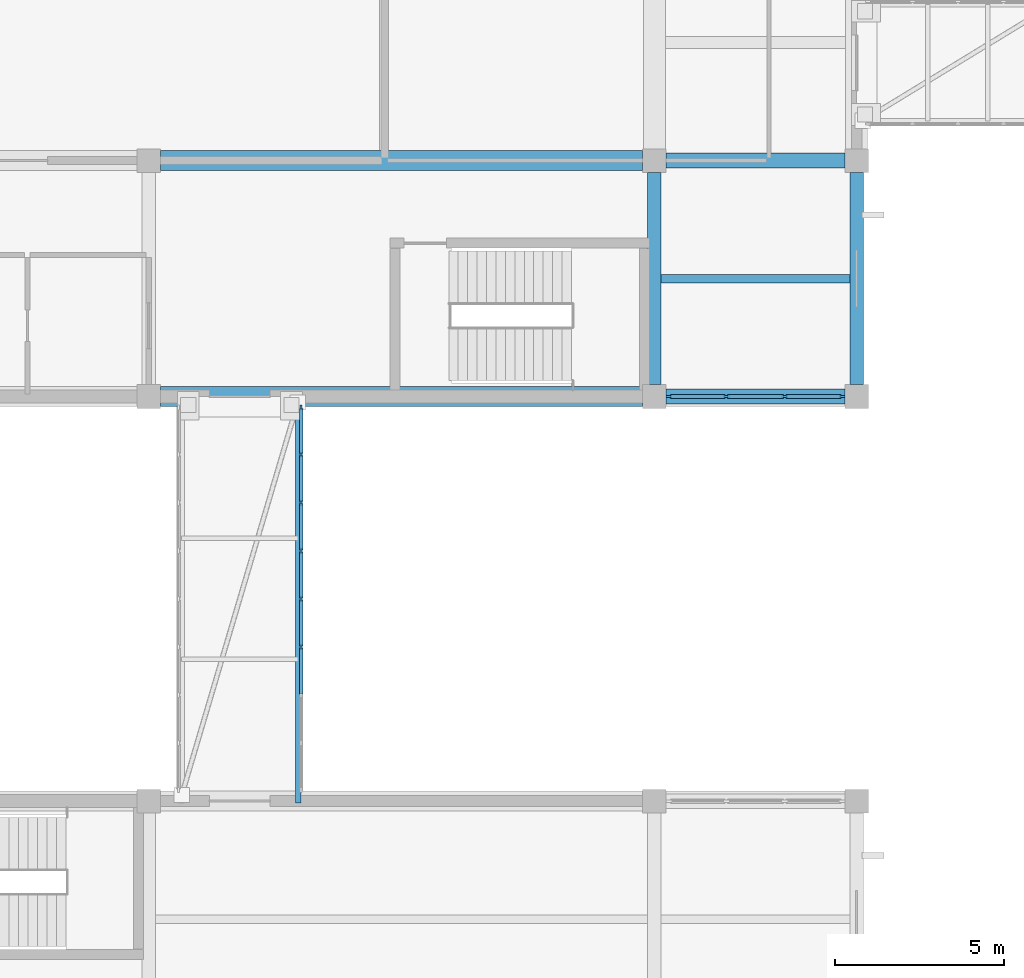
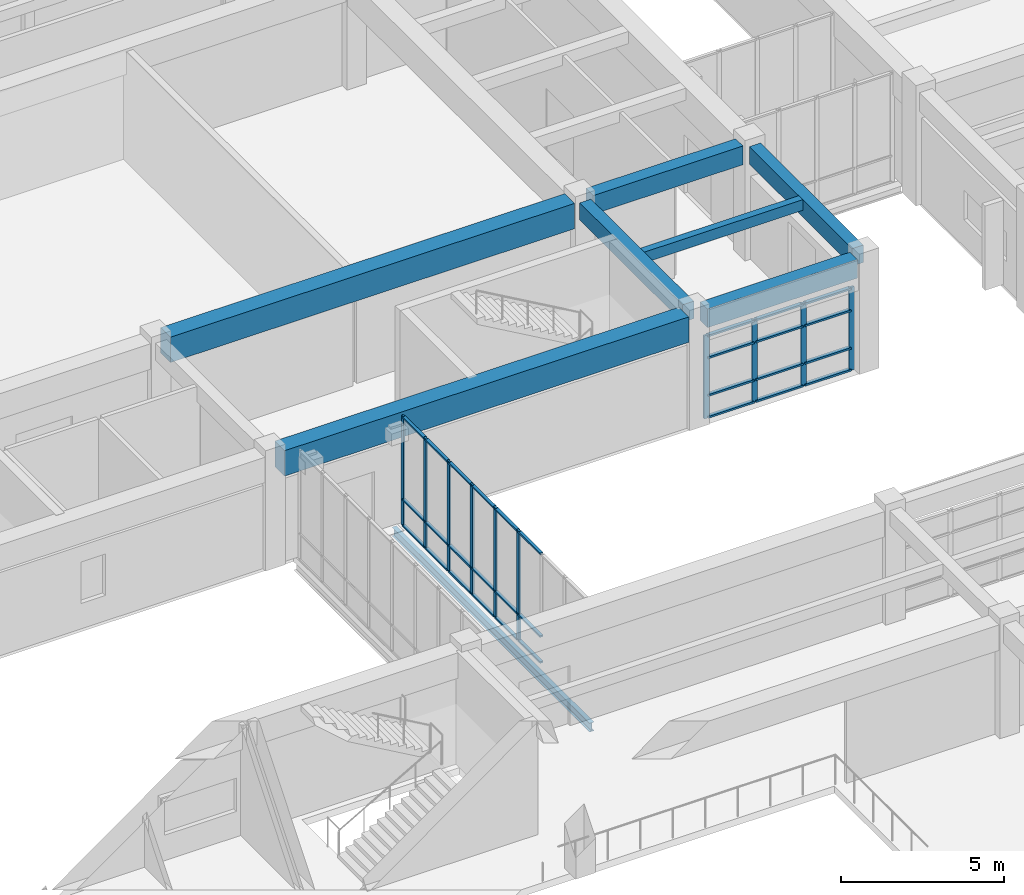
# One storey, part 13 of 70: 40 members, 8 beams, 2 elements without a shape of their own.
"""IFC4 building model written with IfcOpenShell, lengths in metres."""

from ifc_helpers import new_model, si_unit, direction, frame, origin, origin_2d, place, context, subcontext, project, spatial, rectangle, i_section, extrude, material, layer, layer_set, material_profile, profile_set, type_object, element, aggregate, save


model = new_model("IFC4")

# Units and contexts
model_context = context("Model", 3, precision=1e-05, world=origin(), true_north=direction((0.0, 1.0)))
body_context = subcontext(model_context, "Body", "Model", "MODEL_VIEW")
ifc_project = project(units=[si_unit("LENGTHUNIT", "METRE"), si_unit("AREAUNIT", "SQUARE_METRE"), si_unit("VOLUMEUNIT", "CUBIC_METRE"), si_unit("PLANEANGLEUNIT", "RADIAN"), si_unit("MASSUNIT", "GRAM", prefix="KILO")], contexts=[model_context])

# Site, building, storey
site_placement = place(None, origin())
site = spatial("IfcSite", under=ifc_project, at=site_placement, CompositionType="ELEMENT")
building_placement = place(site_placement, origin())
building = spatial("IfcBuilding", under=site, at=building_placement, Name="Naurynzar Civic Courthouse", CompositionType="ELEMENT")
storey_placement = place(building_placement, frame((0.0, 0.0, 5.39990234375)))
storey = spatial("IfcBuildingStorey", under=building, at=storey_placement, Name="L02", CompositionType="ELEMENT", Elevation=5.39990234375)

# Beams
ifc_material_1 = material(Name="Concrete C40/50", Category="concrete")
ifc_material_profile_1 = material_profile(ifc_material_1, rectangle(XDim=0.25, YDim=0.39990234375, at=origin_2d()), Name="RCB 250x400")
ifc_profile_set_1 = profile_set([ifc_material_profile_1], Name="Concrete C40/50")
beam_type_1 = type_object("IfcBeamType", Name="BM-JST-250x400", PredefinedType="JOIST", material=ifc_profile_set_1)
beam_1_placement = place(storey_placement, frame((50.199951171875, 47.5, 4.030029296875), z_axis=(1.0, 0.0, 0.0), x_axis=(0.0, 1.0, 0.0)))
element("IfcBeam", 1, at=beam_1_placement, inside=storey, type_object=beam_type_1, Name="V1 secondary rib 152 L02", PredefinedType="JOIST", context=body_context, shape_type="SweptSolid", body=[
    extrude(rectangle(XDim=0.25, YDim=0.39990234375, at=origin_2d()), origin(), (0.0, 0.0, 1.0), 5.60009765625),
])
ifc_material_2 = material(Name="Concrete C40/50", Category="concrete")
ifc_material_profile_2 = material_profile(ifc_material_2, rectangle(XDim=0.60009765625, YDim=0.949951171875, at=origin_2d()), Name="PTB 600x950")
ifc_profile_set_2 = profile_set([ifc_material_profile_2], Name="Concrete C40/50")
beam_type_2 = type_object("IfcBeamType", Name="BM-PT-600x950", PredefinedType="T_BEAM", material=ifc_profile_set_2)
for number, where, z_axis, x_axis, name in (
    (2, (35.35009765625, 44.0, 3.755126953125), (1.0, 0.0, 0.0), (0.0, 1.0, 0.0), "V1 beam X-118 L02"),
    (3, (35.35009765625, 51.0, 3.755126953125), (1.0, 0.0, 0.0), (0.0, 1.0, 0.0), "V1 beam X-123 L02"),
):
    element("IfcBeam", number, at=place(storey_placement, frame(where, z_axis=z_axis, x_axis=x_axis)), inside=storey, type_object=beam_type_2, Name=name, PredefinedType="T_BEAM", context=body_context, shape_type="SweptSolid", body=[
        extrude(rectangle(XDim=0.60009765625, YDim=0.949951171875, at=origin_2d()), origin(), (0.0, 0.0, 1.0), 14.2998046875),
    ])
ifc_material_3 = material(Name="Concrete C40/50", Category="concrete")
ifc_material_profile_3 = material_profile(ifc_material_3, rectangle(XDim=0.39990234375, YDim=0.64990234375, at=origin_2d()), Name="RCB 400x650")
ifc_profile_set_3 = profile_set([ifc_material_profile_3], Name="Concrete C40/50")
beam_type_3 = type_object("IfcBeamType", Name="BM-RC-400x650", PredefinedType="BEAM", material=ifc_profile_set_3)
for number, where, z_axis, x_axis, name in (
    (4, (50.0, 44.35009765625, 3.905029296875), (0.0, 1.0, 0.0), (-1.0, 0.0, 0.0), "V1 girder Y-146 L02"),
    (5, (56.0, 44.35009765625, 3.905029296875), (0.0, 1.0, 0.0), (-1.0, 0.0, 0.0), "V1 girder Y-149 L02"),
):
    element("IfcBeam", number, at=place(storey_placement, frame(where, z_axis=z_axis, x_axis=x_axis)), inside=storey, type_object=beam_type_3, Name=name, PredefinedType="BEAM", context=body_context, shape_type="SweptSolid", body=[
        extrude(rectangle(XDim=0.39990234375, YDim=0.64990234375, at=origin_2d()), origin(), (0.0, 0.0, 1.0), 6.2998046875),
    ])
ifc_material_4 = material(Name="Concrete C40/50", Category="concrete")
ifc_material_profile_4 = material_profile(ifc_material_4, rectangle(XDim=0.449951171875, YDim=0.699951171875, at=origin_2d()), Name="RCB 450x700")
ifc_profile_set_4 = profile_set([ifc_material_profile_4], Name="Concrete C40/50")
beam_type_4 = type_object("IfcBeamType", Name="BM-RC-450x700", PredefinedType="BEAM", material=ifc_profile_set_4)
for number, where, z_axis, x_axis, name in (
    (6, (50.35009765625, 44.0, 3.880126953125), (1.0, 0.0, 0.0), (0.0, 1.0, 0.0), "V1 beam X-119 L02"),
    (7, (50.35009765625, 51.0, 3.880126953125), (1.0, 0.0, 0.0), (0.0, 1.0, 0.0), "V1 beam X-124 L02"),
):
    element("IfcBeam", number, at=place(storey_placement, frame(where, z_axis=z_axis, x_axis=x_axis)), inside=storey, type_object=beam_type_4, Name=name, PredefinedType="BEAM", context=body_context, shape_type="SweptSolid", body=[
        extrude(rectangle(XDim=0.449951171875, YDim=0.699951171875, at=origin_2d()), origin(), (0.0, 0.0, 1.0), 5.2998046875),
    ])
ifc_material_5 = material(Name="Steel S355", Category="steel")
ifc_material_profile_5 = material_profile(ifc_material_5, i_section(OverallWidth=0.159912109375, OverallDepth=0.330078125, WebThickness=0.007568359375, FlangeThickness=0.011474609375, FilletRadius=0.01806640625, at=origin_2d()), Name="IPE 330")
ifc_profile_set_5 = profile_set([ifc_material_profile_5], Name="Steel S355")
beam_type_5 = type_object("IfcBeamType", Name="BM-STL-IPE330", PredefinedType="BEAM", material=ifc_profile_set_5)
beam_2_placement = place(storey_placement, frame((39.429931640625, 31.949951171875, -0.40478515625), z_axis=(0.0, 1.0, 0.0), x_axis=(-1.0, 0.0, 0.0)))
element("IfcBeam", 8, at=beam_2_placement, inside=storey, type_object=beam_type_5, Name="BR-W1 edge steel beam L02.2", PredefinedType="BEAM", context=body_context, shape_type="SweptSolid", body=[
    extrude(i_section(OverallWidth=0.159912109375, OverallDepth=0.330078125, WebThickness=0.007568359375, FlangeThickness=0.011474609375, FilletRadius=0.01806640625, at=origin_2d()), origin(), (0.0, 0.0, 1.0), 12.10009765625),
])

# Curtain wall, members
ifc_material_6 = material(Name="Aluminium 6063-T6", Category="aluminium")
ifc_layer_1 = layer(ifc_material_6, 0.14990234375)
ifc_layer_set_1 = layer_set([ifc_layer_1], Name="CW-BRIDGE-1500")
curtain_wall_type_1 = type_object("IfcCurtainWallType", Name="CW-BRIDGE-1500", PredefinedType="USERDEFINED", material=ifc_layer_set_1)
curtain_wall_1_placement = place(storey_placement, origin())
curtain_wall_1 = element("IfcCurtainWall", 9, at=curtain_wall_1_placement, inside=storey, type_object=curtain_wall_type_1, Name="BR-W1 glazed bridge screen L02.2", ObjectType="GLAZED BRIDGE SCREEN", PredefinedType="USERDEFINED")
ifc_material_7 = material(Name="Aluminium 6063-T6", Category="aluminium")
ifc_material_profile_6 = material_profile(ifc_material_7, rectangle(XDim=0.06005859375, YDim=0.14990234375, at=origin_2d()), Name="ALU MULLION 60x150")
ifc_profile_set_6 = profile_set([ifc_material_profile_6], Name="Aluminium 6063-T6")
member_type_1 = type_object("IfcMemberType", Name="CWM-60x150", PredefinedType="MULLION", material=ifc_profile_set_6)
member_1_placement = place(storey_placement, frame((39.52001953125, 36.574951171875, 0.0), z_axis=(0.0, 0.0, 1.0), x_axis=(-1.0, 0.0, 0.0)))
member_1 = element("IfcMember", 10, at=member_1_placement, type_object=member_type_1, Name="CW-03 mullion 4", PredefinedType="MULLION", context=body_context, shape_type="SweptSolid", body=[
    extrude(rectangle(XDim=0.06005859375, YDim=0.14990234375, at=origin_2d()), origin(), (0.0, 0.0, 1.0), 4.1201171875),
])
member_2_placement = place(storey_placement, frame((39.52001953125, 38.0, 0.0), z_axis=(0.0, 0.0, 1.0), x_axis=(-1.0, 0.0, 0.0)))
member_2 = element("IfcMember", 11, at=member_2_placement, type_object=member_type_1, Name="CW-03 mullion 5", PredefinedType="MULLION", context=body_context, shape_type="SweptSolid", body=[
    extrude(rectangle(XDim=0.06005859375, YDim=0.14990234375, at=origin_2d()), origin(), (0.0, 0.0, 1.0), 4.1201171875),
])
member_3_placement = place(storey_placement, frame((39.52001953125, 39.425048828125, 0.0), z_axis=(0.0, 0.0, 1.0), x_axis=(-1.0, 0.0, 0.0)))
member_3 = element("IfcMember", 12, at=member_3_placement, type_object=member_type_1, Name="CW-03 mullion 6", PredefinedType="MULLION", context=body_context, shape_type="SweptSolid", body=[
    extrude(rectangle(XDim=0.06005859375, YDim=0.14990234375, at=origin_2d()), origin(), (0.0, 0.0, 1.0), 4.1201171875),
])
member_4_placement = place(storey_placement, frame((39.52001953125, 40.85009765625, 0.0), z_axis=(0.0, 0.0, 1.0), x_axis=(-1.0, 0.0, 0.0)))
member_4 = element("IfcMember", 13, at=member_4_placement, type_object=member_type_1, Name="CW-03 mullion 7", PredefinedType="MULLION", context=body_context, shape_type="SweptSolid", body=[
    extrude(rectangle(XDim=0.06005859375, YDim=0.14990234375, at=origin_2d()), origin(), (0.0, 0.0, 1.0), 4.1201171875),
])
member_5_placement = place(storey_placement, frame((39.52001953125, 42.27490234375, 0.0), z_axis=(0.0, 0.0, 1.0), x_axis=(-1.0, 0.0, 0.0)))
member_5 = element("IfcMember", 14, at=member_5_placement, type_object=member_type_1, Name="CW-03 mullion 8", PredefinedType="MULLION", context=body_context, shape_type="SweptSolid", body=[
    extrude(rectangle(XDim=0.06005859375, YDim=0.14990234375, at=origin_2d()), origin(), (0.0, 0.0, 1.0), 4.1201171875),
])
member_6_placement = place(storey_placement, frame((39.52001953125, 43.669921875, 0.0), z_axis=(0.0, 0.0, 1.0), x_axis=(-1.0, 0.0, 0.0)))
member_6 = element("IfcMember", 15, at=member_6_placement, type_object=member_type_1, Name="CW-03 mullion 9", PredefinedType="MULLION", context=body_context, shape_type="SweptSolid", body=[
    extrude(rectangle(XDim=0.06005859375, YDim=0.14990234375, at=origin_2d()), origin(), (0.0, 0.0, 1.0), 4.1201171875),
])

ifc_material_8 = material(Name="Aluminium 6063-T6", Category="aluminium")
ifc_layer_2 = layer(ifc_material_8, 0.159912109375)
ifc_layer_set_2 = layer_set([ifc_layer_2], Name="CW-UNIT-1800")
curtain_wall_type_2 = type_object("IfcCurtainWallType", Name="CW-UNIT-1800", PredefinedType="NOTDEFINED", material=ifc_layer_set_2)
curtain_wall_2_placement = place(storey_placement, origin())
curtain_wall_2 = element("IfcCurtainWall", 16, at=curtain_wall_2_placement, inside=storey, type_object=curtain_wall_type_2, Name="V1 unitised curtain wall 5 L02", PredefinedType="NOTDEFINED")
ifc_material_9 = material(Name="Aluminium 6063-T6", Category="aluminium")
ifc_material_profile_7 = material_profile(ifc_material_9, rectangle(XDim=0.070068359375, YDim=0.179931640625, at=origin_2d()), Name="ALU MULLION 70x180")
ifc_profile_set_7 = profile_set([ifc_material_profile_7], Name="Aluminium 6063-T6")
member_type_2 = type_object("IfcMemberType", Name="CWM-70x180", PredefinedType="MULLION", material=ifc_profile_set_7)
member_7_placement = place(storey_placement, frame((55.56494140625, 44.0, 0.0), z_axis=(0.0, 0.0, 1.0), x_axis=(0.0, -1.0, 0.0)))
member_7 = element("IfcMember", 17, at=member_7_placement, type_object=member_type_2, Name="CW-02 mullion 1", PredefinedType="MULLION", context=body_context, shape_type="SweptSolid", body=[
    extrude(rectangle(XDim=0.070068359375, YDim=0.179931640625, at=origin_2d()), origin(), (0.0, 0.0, 1.0), 3.110107421875),
])
member_8_placement = place(storey_placement, frame((53.86669921875, 44.0, 0.0), z_axis=(0.0, 0.0, 1.0), x_axis=(0.0, -1.0, 0.0)))
member_8 = element("IfcMember", 18, at=member_8_placement, type_object=member_type_2, Name="CW-02 mullion 2", PredefinedType="MULLION", context=body_context, shape_type="SweptSolid", body=[
    extrude(rectangle(XDim=0.070068359375, YDim=0.179931640625, at=origin_2d()), origin(), (0.0, 0.0, 1.0), 3.110107421875),
])
member_9_placement = place(storey_placement, frame((52.13330078125, 44.0, 0.0), z_axis=(0.0, 0.0, 1.0), x_axis=(0.0, -1.0, 0.0)))
member_9 = element("IfcMember", 19, at=member_9_placement, type_object=member_type_2, Name="CW-02 mullion 3", PredefinedType="MULLION", context=body_context, shape_type="SweptSolid", body=[
    extrude(rectangle(XDim=0.070068359375, YDim=0.179931640625, at=origin_2d()), origin(), (0.0, 0.0, 1.0), 3.110107421875),
])
member_10_placement = place(storey_placement, frame((50.43505859375, 44.0, 0.0), z_axis=(0.0, 0.0, 1.0), x_axis=(0.0, -1.0, 0.0)))
member_10 = element("IfcMember", 20, at=member_10_placement, type_object=member_type_2, Name="CW-02 mullion 4", PredefinedType="MULLION", context=body_context, shape_type="SweptSolid", body=[
    extrude(rectangle(XDim=0.070068359375, YDim=0.179931640625, at=origin_2d()), origin(), (0.0, 0.0, 1.0), 3.110107421875),
])

# Member
ifc_material_10 = material(Name="Aluminium 6063-T6", Category="aluminium")
ifc_material_profile_8 = material_profile(ifc_material_10, rectangle(XDim=0.110107421875, YDim=0.06005859375, at=origin_2d()), Name="ALU TRANSOM 60x110")
ifc_profile_set_8 = profile_set([ifc_material_profile_8], Name="Aluminium 6063-T6")
member_type_3 = type_object("IfcMemberType", Name="CWT-60x110", PredefinedType="USERDEFINED", material=ifc_profile_set_8)
member_11_placement = place(storey_placement, frame((39.52001953125, 35.179931640625, 0.030029296875), z_axis=(0.0, 1.0, 0.0), x_axis=(-1.0, 0.0, 0.0)))
member_11 = element("IfcMember", 21, at=member_11_placement, type_object=member_type_3, Name="CW-03 transom 3.1", ObjectType="TRANSOM", PredefinedType="USERDEFINED", context=body_context, shape_type="SweptSolid", body=[
    extrude(rectangle(XDim=0.110107421875, YDim=0.06005859375, at=origin_2d()), origin(), (0.0, 0.0, 1.0), 1.364990234375),
])

member_12_placement = place(storey_placement, frame((39.52001953125, 35.179931640625, 1.0), z_axis=(0.0, 1.0, 0.0), x_axis=(-1.0, 0.0, 0.0)))
member_12 = element("IfcMember", 22, at=member_12_placement, type_object=member_type_3, Name="CW-03 transom 3.2", ObjectType="TRANSOM", PredefinedType="USERDEFINED", context=body_context, shape_type="SweptSolid", body=[
    extrude(rectangle(XDim=0.110107421875, YDim=0.06005859375, at=origin_2d()), origin(), (0.0, 0.0, 1.0), 1.364990234375),
])

member_13_placement = place(storey_placement, frame((39.52001953125, 35.179931640625, 4.090087890625), z_axis=(0.0, 1.0, 0.0), x_axis=(-1.0, 0.0, 0.0)))
member_13 = element("IfcMember", 23, at=member_13_placement, type_object=member_type_3, Name="CW-03 transom 3.3", ObjectType="TRANSOM", PredefinedType="USERDEFINED", context=body_context, shape_type="SweptSolid", body=[
    extrude(rectangle(XDim=0.110107421875, YDim=0.06005859375, at=origin_2d()), origin(), (0.0, 0.0, 1.0), 1.364990234375),
])

member_14_placement = place(storey_placement, frame((39.52001953125, 36.60498046875, 0.030029296875), z_axis=(0.0, 1.0, 0.0), x_axis=(-1.0, 0.0, 0.0)))
member_14 = element("IfcMember", 24, at=member_14_placement, type_object=member_type_3, Name="CW-03 transom 4.1", ObjectType="TRANSOM", PredefinedType="USERDEFINED", context=body_context, shape_type="SweptSolid", body=[
    extrude(rectangle(XDim=0.110107421875, YDim=0.06005859375, at=origin_2d()), origin(), (0.0, 0.0, 1.0), 1.364990234375),
])

member_15_placement = place(storey_placement, frame((39.52001953125, 36.60498046875, 1.0), z_axis=(0.0, 1.0, 0.0), x_axis=(-1.0, 0.0, 0.0)))
member_15 = element("IfcMember", 25, at=member_15_placement, type_object=member_type_3, Name="CW-03 transom 4.2", ObjectType="TRANSOM", PredefinedType="USERDEFINED", context=body_context, shape_type="SweptSolid", body=[
    extrude(rectangle(XDim=0.110107421875, YDim=0.06005859375, at=origin_2d()), origin(), (0.0, 0.0, 1.0), 1.364990234375),
])

member_16_placement = place(storey_placement, frame((39.52001953125, 36.60498046875, 4.090087890625), z_axis=(0.0, 1.0, 0.0), x_axis=(-1.0, 0.0, 0.0)))
member_16 = element("IfcMember", 26, at=member_16_placement, type_object=member_type_3, Name="CW-03 transom 4.3", ObjectType="TRANSOM", PredefinedType="USERDEFINED", context=body_context, shape_type="SweptSolid", body=[
    extrude(rectangle(XDim=0.110107421875, YDim=0.06005859375, at=origin_2d()), origin(), (0.0, 0.0, 1.0), 1.364990234375),
])

member_17_placement = place(storey_placement, frame((39.52001953125, 38.030029296875, 0.030029296875), z_axis=(0.0, 1.0, 0.0), x_axis=(-1.0, 0.0, 0.0)))
member_17 = element("IfcMember", 27, at=member_17_placement, type_object=member_type_3, Name="CW-03 transom 5.1", ObjectType="TRANSOM", PredefinedType="USERDEFINED", context=body_context, shape_type="SweptSolid", body=[
    extrude(rectangle(XDim=0.110107421875, YDim=0.06005859375, at=origin_2d()), origin(), (0.0, 0.0, 1.0), 1.364990234375),
])

member_18_placement = place(storey_placement, frame((39.52001953125, 38.030029296875, 1.0), z_axis=(0.0, 1.0, 0.0), x_axis=(-1.0, 0.0, 0.0)))
member_18 = element("IfcMember", 28, at=member_18_placement, type_object=member_type_3, Name="CW-03 transom 5.2", ObjectType="TRANSOM", PredefinedType="USERDEFINED", context=body_context, shape_type="SweptSolid", body=[
    extrude(rectangle(XDim=0.110107421875, YDim=0.06005859375, at=origin_2d()), origin(), (0.0, 0.0, 1.0), 1.364990234375),
])

member_19_placement = place(storey_placement, frame((39.52001953125, 38.030029296875, 4.090087890625), z_axis=(0.0, 1.0, 0.0), x_axis=(-1.0, 0.0, 0.0)))
member_19 = element("IfcMember", 29, at=member_19_placement, type_object=member_type_3, Name="CW-03 transom 5.3", ObjectType="TRANSOM", PredefinedType="USERDEFINED", context=body_context, shape_type="SweptSolid", body=[
    extrude(rectangle(XDim=0.110107421875, YDim=0.06005859375, at=origin_2d()), origin(), (0.0, 0.0, 1.0), 1.364990234375),
])

member_20_placement = place(storey_placement, frame((39.52001953125, 39.455078125, 0.030029296875), z_axis=(0.0, 1.0, 0.0), x_axis=(-1.0, 0.0, 0.0)))
member_20 = element("IfcMember", 30, at=member_20_placement, type_object=member_type_3, Name="CW-03 transom 6.1", ObjectType="TRANSOM", PredefinedType="USERDEFINED", context=body_context, shape_type="SweptSolid", body=[
    extrude(rectangle(XDim=0.110107421875, YDim=0.06005859375, at=origin_2d()), origin(), (0.0, 0.0, 1.0), 1.364990234375),
])

member_21_placement = place(storey_placement, frame((39.52001953125, 39.455078125, 1.0), z_axis=(0.0, 1.0, 0.0), x_axis=(-1.0, 0.0, 0.0)))
member_21 = element("IfcMember", 31, at=member_21_placement, type_object=member_type_3, Name="CW-03 transom 6.2", ObjectType="TRANSOM", PredefinedType="USERDEFINED", context=body_context, shape_type="SweptSolid", body=[
    extrude(rectangle(XDim=0.110107421875, YDim=0.06005859375, at=origin_2d()), origin(), (0.0, 0.0, 1.0), 1.364990234375),
])

member_22_placement = place(storey_placement, frame((39.52001953125, 39.455078125, 4.090087890625), z_axis=(0.0, 1.0, 0.0), x_axis=(-1.0, 0.0, 0.0)))
member_22 = element("IfcMember", 32, at=member_22_placement, type_object=member_type_3, Name="CW-03 transom 6.3", ObjectType="TRANSOM", PredefinedType="USERDEFINED", context=body_context, shape_type="SweptSolid", body=[
    extrude(rectangle(XDim=0.110107421875, YDim=0.06005859375, at=origin_2d()), origin(), (0.0, 0.0, 1.0), 1.364990234375),
])

member_23_placement = place(storey_placement, frame((39.52001953125, 40.8798828125, 0.030029296875), z_axis=(0.0, 1.0, 0.0), x_axis=(-1.0, 0.0, 0.0)))
member_23 = element("IfcMember", 33, at=member_23_placement, type_object=member_type_3, Name="CW-03 transom 7.1", ObjectType="TRANSOM", PredefinedType="USERDEFINED", context=body_context, shape_type="SweptSolid", body=[
    extrude(rectangle(XDim=0.110107421875, YDim=0.06005859375, at=origin_2d()), origin(), (0.0, 0.0, 1.0), 1.365234375),
])

member_24_placement = place(storey_placement, frame((39.52001953125, 40.8798828125, 1.0), z_axis=(0.0, 1.0, 0.0), x_axis=(-1.0, 0.0, 0.0)))
member_24 = element("IfcMember", 34, at=member_24_placement, type_object=member_type_3, Name="CW-03 transom 7.2", ObjectType="TRANSOM", PredefinedType="USERDEFINED", context=body_context, shape_type="SweptSolid", body=[
    extrude(rectangle(XDim=0.110107421875, YDim=0.06005859375, at=origin_2d()), origin(), (0.0, 0.0, 1.0), 1.365234375),
])

member_25_placement = place(storey_placement, frame((39.52001953125, 40.8798828125, 4.090087890625), z_axis=(0.0, 1.0, 0.0), x_axis=(-1.0, 0.0, 0.0)))
member_25 = element("IfcMember", 35, at=member_25_placement, type_object=member_type_3, Name="CW-03 transom 7.3", ObjectType="TRANSOM", PredefinedType="USERDEFINED", context=body_context, shape_type="SweptSolid", body=[
    extrude(rectangle(XDim=0.110107421875, YDim=0.06005859375, at=origin_2d()), origin(), (0.0, 0.0, 1.0), 1.365234375),
])

member_26_placement = place(storey_placement, frame((39.52001953125, 42.304931640625, 0.030029296875), z_axis=(0.0, 1.0, 0.0), x_axis=(-1.0, 0.0, 0.0)))
member_26 = element("IfcMember", 36, at=member_26_placement, type_object=member_type_3, Name="CW-03 transom 8.1", ObjectType="TRANSOM", PredefinedType="USERDEFINED", context=body_context, shape_type="SweptSolid", body=[
    extrude(rectangle(XDim=0.110107421875, YDim=0.06005859375, at=origin_2d()), origin(), (0.0, 0.0, 1.0), 1.3349609375),
])

member_27_placement = place(storey_placement, frame((39.52001953125, 42.304931640625, 1.0), z_axis=(0.0, 1.0, 0.0), x_axis=(-1.0, 0.0, 0.0)))
member_27 = element("IfcMember", 37, at=member_27_placement, type_object=member_type_3, Name="CW-03 transom 8.2", ObjectType="TRANSOM", PredefinedType="USERDEFINED", context=body_context, shape_type="SweptSolid", body=[
    extrude(rectangle(XDim=0.110107421875, YDim=0.06005859375, at=origin_2d()), origin(), (0.0, 0.0, 1.0), 1.3349609375),
])

member_28_placement = place(storey_placement, frame((39.52001953125, 42.304931640625, 4.090087890625), z_axis=(0.0, 1.0, 0.0), x_axis=(-1.0, 0.0, 0.0)))
member_28 = element("IfcMember", 38, at=member_28_placement, type_object=member_type_3, Name="CW-03 transom 8.3", ObjectType="TRANSOM", PredefinedType="USERDEFINED", context=body_context, shape_type="SweptSolid", body=[
    extrude(rectangle(XDim=0.110107421875, YDim=0.06005859375, at=origin_2d()), origin(), (0.0, 0.0, 1.0), 1.3349609375),
])

aggregate(curtain_wall_1, [member_1, member_2, member_3, member_4, member_5, member_6, member_11, member_12, member_13, member_14, member_15, member_16, member_17, member_18, member_19, member_20, member_21, member_22, member_23, member_24, member_25, member_26, member_27, member_28])

ifc_material_11 = material(Name="Aluminium 6063-T6", Category="aluminium")
ifc_material_profile_9 = material_profile(ifc_material_11, rectangle(XDim=0.1298828125, YDim=0.070068359375, at=origin_2d()), Name="ALU TRANSOM 70x130")
ifc_profile_set_9 = profile_set([ifc_material_profile_9], Name="Aluminium 6063-T6")
member_type_4 = type_object("IfcMemberType", Name="CWT-70x130", PredefinedType="USERDEFINED", material=ifc_profile_set_9)
member_29_placement = place(storey_placement, frame((55.530029296875, 44.0, 0.03515625), z_axis=(-1.0, 0.0, 0.0), x_axis=(0.0, -1.0, 0.0)))
member_29 = element("IfcMember", 39, at=member_29_placement, type_object=member_type_4, Name="CW-02 transom 1.1", ObjectType="TRANSOM", PredefinedType="USERDEFINED", context=body_context, shape_type="SweptSolid", body=[
    extrude(rectangle(XDim=0.1298828125, YDim=0.070068359375, at=origin_2d()), origin(), (0.0, 0.0, 1.0), 1.62841796875),
])

member_30_placement = place(storey_placement, frame((55.530029296875, 44.0, 0.85009765625), z_axis=(-1.0, 0.0, 0.0), x_axis=(0.0, -1.0, 0.0)))
member_30 = element("IfcMember", 40, at=member_30_placement, type_object=member_type_4, Name="CW-02 transom 1.2", ObjectType="TRANSOM", PredefinedType="USERDEFINED", context=body_context, shape_type="SweptSolid", body=[
    extrude(rectangle(XDim=0.1298828125, YDim=0.070068359375, at=origin_2d()), origin(), (0.0, 0.0, 1.0), 1.62841796875),
])

member_31_placement = place(storey_placement, frame((55.530029296875, 44.0, 2.260009765625), z_axis=(-1.0, 0.0, 0.0), x_axis=(0.0, -1.0, 0.0)))
member_31 = element("IfcMember", 41, at=member_31_placement, type_object=member_type_4, Name="CW-02 transom 1.3", ObjectType="TRANSOM", PredefinedType="USERDEFINED", context=body_context, shape_type="SweptSolid", body=[
    extrude(rectangle(XDim=0.1298828125, YDim=0.070068359375, at=origin_2d()), origin(), (0.0, 0.0, 1.0), 1.62841796875),
])

member_32_placement = place(storey_placement, frame((55.530029296875, 44.0, 3.0751953125), z_axis=(-1.0, 0.0, 0.0), x_axis=(0.0, -1.0, 0.0)))
member_32 = element("IfcMember", 42, at=member_32_placement, type_object=member_type_4, Name="CW-02 transom 1.4", ObjectType="TRANSOM", PredefinedType="USERDEFINED", context=body_context, shape_type="SweptSolid", body=[
    extrude(rectangle(XDim=0.1298828125, YDim=0.070068359375, at=origin_2d()), origin(), (0.0, 0.0, 1.0), 1.62841796875),
])

member_33_placement = place(storey_placement, frame((53.831787109375, 44.0, 0.03515625), z_axis=(-1.0, 0.0, 0.0), x_axis=(0.0, -1.0, 0.0)))
member_33 = element("IfcMember", 43, at=member_33_placement, type_object=member_type_4, Name="CW-02 transom 2.1", ObjectType="TRANSOM", PredefinedType="USERDEFINED", context=body_context, shape_type="SweptSolid", body=[
    extrude(rectangle(XDim=0.1298828125, YDim=0.070068359375, at=origin_2d()), origin(), (0.0, 0.0, 1.0), 1.66357421875),
])

member_34_placement = place(storey_placement, frame((53.831787109375, 44.0, 0.85009765625), z_axis=(-1.0, 0.0, 0.0), x_axis=(0.0, -1.0, 0.0)))
member_34 = element("IfcMember", 44, at=member_34_placement, type_object=member_type_4, Name="CW-02 transom 2.2", ObjectType="TRANSOM", PredefinedType="USERDEFINED", context=body_context, shape_type="SweptSolid", body=[
    extrude(rectangle(XDim=0.1298828125, YDim=0.070068359375, at=origin_2d()), origin(), (0.0, 0.0, 1.0), 1.66357421875),
])

member_35_placement = place(storey_placement, frame((53.831787109375, 44.0, 2.260009765625), z_axis=(-1.0, 0.0, 0.0), x_axis=(0.0, -1.0, 0.0)))
member_35 = element("IfcMember", 45, at=member_35_placement, type_object=member_type_4, Name="CW-02 transom 2.3", ObjectType="TRANSOM", PredefinedType="USERDEFINED", context=body_context, shape_type="SweptSolid", body=[
    extrude(rectangle(XDim=0.1298828125, YDim=0.070068359375, at=origin_2d()), origin(), (0.0, 0.0, 1.0), 1.66357421875),
])

member_36_placement = place(storey_placement, frame((53.831787109375, 44.0, 3.0751953125), z_axis=(-1.0, 0.0, 0.0), x_axis=(0.0, -1.0, 0.0)))
member_36 = element("IfcMember", 46, at=member_36_placement, type_object=member_type_4, Name="CW-02 transom 2.4", ObjectType="TRANSOM", PredefinedType="USERDEFINED", context=body_context, shape_type="SweptSolid", body=[
    extrude(rectangle(XDim=0.1298828125, YDim=0.070068359375, at=origin_2d()), origin(), (0.0, 0.0, 1.0), 1.66357421875),
])

member_37_placement = place(storey_placement, frame((52.098388671875, 44.0, 0.03515625), z_axis=(-1.0, 0.0, 0.0), x_axis=(0.0, -1.0, 0.0)))
member_37 = element("IfcMember", 47, at=member_37_placement, type_object=member_type_4, Name="CW-02 transom 3.1", ObjectType="TRANSOM", PredefinedType="USERDEFINED", context=body_context, shape_type="SweptSolid", body=[
    extrude(rectangle(XDim=0.1298828125, YDim=0.070068359375, at=origin_2d()), origin(), (0.0, 0.0, 1.0), 1.62841796875),
])

member_38_placement = place(storey_placement, frame((52.098388671875, 44.0, 0.85009765625), z_axis=(-1.0, 0.0, 0.0), x_axis=(0.0, -1.0, 0.0)))
member_38 = element("IfcMember", 48, at=member_38_placement, type_object=member_type_4, Name="CW-02 transom 3.2", ObjectType="TRANSOM", PredefinedType="USERDEFINED", context=body_context, shape_type="SweptSolid", body=[
    extrude(rectangle(XDim=0.1298828125, YDim=0.070068359375, at=origin_2d()), origin(), (0.0, 0.0, 1.0), 1.62841796875),
])

member_39_placement = place(storey_placement, frame((52.098388671875, 44.0, 2.260009765625), z_axis=(-1.0, 0.0, 0.0), x_axis=(0.0, -1.0, 0.0)))
member_39 = element("IfcMember", 49, at=member_39_placement, type_object=member_type_4, Name="CW-02 transom 3.3", ObjectType="TRANSOM", PredefinedType="USERDEFINED", context=body_context, shape_type="SweptSolid", body=[
    extrude(rectangle(XDim=0.1298828125, YDim=0.070068359375, at=origin_2d()), origin(), (0.0, 0.0, 1.0), 1.62841796875),
])

member_40_placement = place(storey_placement, frame((52.098388671875, 44.0, 3.0751953125), z_axis=(-1.0, 0.0, 0.0), x_axis=(0.0, -1.0, 0.0)))
member_40 = element("IfcMember", 50, at=member_40_placement, type_object=member_type_4, Name="CW-02 transom 3.4", ObjectType="TRANSOM", PredefinedType="USERDEFINED", context=body_context, shape_type="SweptSolid", body=[
    extrude(rectangle(XDim=0.1298828125, YDim=0.070068359375, at=origin_2d()), origin(), (0.0, 0.0, 1.0), 1.62841796875),
])

aggregate(curtain_wall_2, [member_7, member_8, member_9, member_10, member_29, member_30, member_31, member_32, member_33, member_34, member_35, member_36, member_37, member_38, member_39, member_40])

save(model, "model.ifc")
